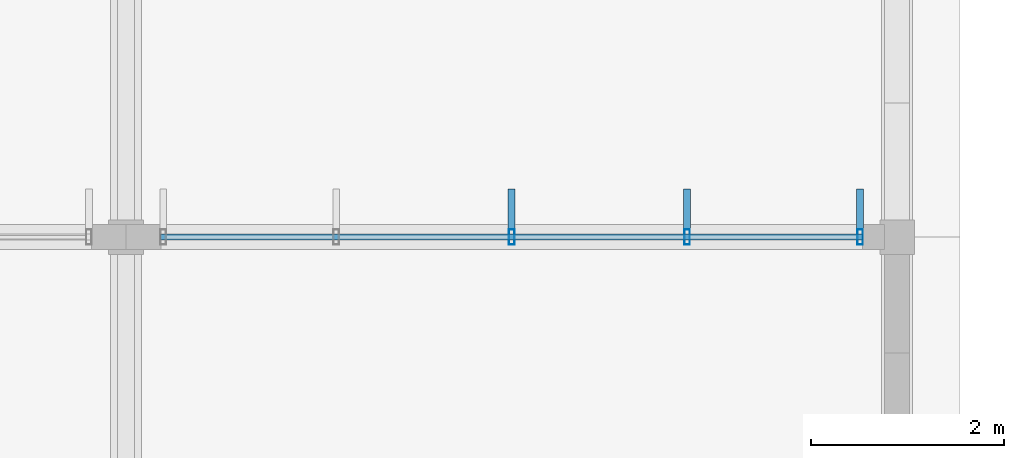
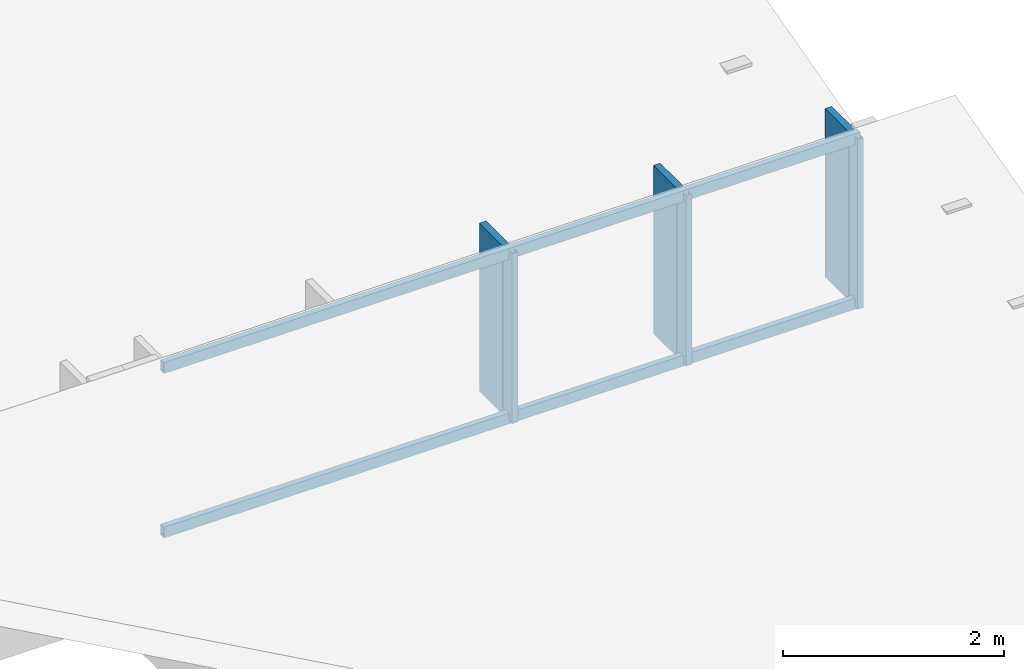
# One storey, part 39 of 94: 8 members, 1 element without a shape of its own.
"""IFC4 building model written with IfcOpenShell, lengths in metres."""

from ifc_helpers import new_model, si_unit, direction, frame, origin, origin_2d, place, context, subcontext, project, spatial, rectangle, hollow_rectangle, extrude, material, material_profile, profile_set, type_object, element, aggregate, save


model = new_model("IFC4")

# Units and contexts
model_context = context("Model", 3, precision=1e-05, world=origin(), true_north=direction((0.0, 1.0)))
body_context = subcontext(model_context, "Body", "Model", "MODEL_VIEW")
ifc_project = project(units=[si_unit("LENGTHUNIT", "METRE"), si_unit("AREAUNIT", "SQUARE_METRE"), si_unit("VOLUMEUNIT", "CUBIC_METRE"), si_unit("PLANEANGLEUNIT", "RADIAN"), si_unit("MASSUNIT", "GRAM", prefix="KILO")], contexts=[model_context])

# Site, building, storey
site_placement = place(None, origin())
site = spatial("IfcSite", under=ifc_project, at=site_placement, CompositionType="ELEMENT")
building_placement = place(site_placement, origin())
building = spatial("IfcBuilding", under=site, at=building_placement, Name="Chiffa Square Polytechnic", CompositionType="ELEMENT")
storey_placement = place(building_placement, frame((0.0, 0.0, 18.0)))
storey = spatial("IfcBuildingStorey", under=building, at=storey_placement, Name="L04", CompositionType="ELEMENT", Elevation=18.0)

# Curtain wall, members
ifc_material_1 = material(Name="Aluminium EN AW-6060 T66 and glulam shading", Category="wood")
curtain_wall_type = type_object("IfcCurtainWallType", Name="CW-VERT-300X380", PredefinedType="USERDEFINED", material=ifc_material_1)
curtain_wall_placement = place(storey_placement, origin())
curtain_wall = element("IfcCurtainWall", 1, at=curtain_wall_placement, inside=storey, type_object=curtain_wall_type, Name="Curtain wall CW-V6-SAW7-4", ObjectType="CURTAIN WALL", PredefinedType="USERDEFINED")
ifc_material_2 = material(Name="Aluminium EN AW-6060 T66", Category="aluminium")
ifc_material_profile_1 = material_profile(ifc_material_2, hollow_rectangle(XDim=0.06005859375, YDim=0.159912109375, WallThickness=0.00390625, at=origin_2d()), Name="ALU 60x160x4")
ifc_profile_set_1 = profile_set([ifc_material_profile_1], Name="Aluminium EN AW-6060 T66")
member_type_1 = type_object("IfcMemberType", Name="CWM-ALU-65X150", PredefinedType="MULLION", material=ifc_profile_set_1)
member_1_placement = place(storey_placement, frame((31.614990234375, 87.0, 0.699951171875), z_axis=(0.0, 0.0, 1.0), x_axis=(1.0, 0.0, 0.0)))
member_1 = element("IfcMember", 2, at=member_1_placement, type_object=member_type_1, Name="Curtain wall mullion CW-V6-SAW7-4-M00", PredefinedType="MULLION", context=body_context, shape_type="SweptSolid", body=[
    extrude(hollow_rectangle(XDim=0.06005859375, YDim=0.159912109375, WallThickness=0.00390625, at=origin_2d()), origin(), (0.0, 0.0, 1.0), 1.879150390625),
])
member_2_placement = place(storey_placement, frame((29.820068359375, 87.0, 0.699951171875), z_axis=(0.0, 0.0, 1.0), x_axis=(1.0, 0.0, 0.0)))
member_2 = element("IfcMember", 3, at=member_2_placement, type_object=member_type_1, Name="Curtain wall mullion CW-V6-SAW7-4-M01", PredefinedType="MULLION", context=body_context, shape_type="SweptSolid", body=[
    extrude(hollow_rectangle(XDim=0.06005859375, YDim=0.159912109375, WallThickness=0.00390625, at=origin_2d()), origin(), (0.0, 0.0, 1.0), 1.879150390625),
])
member_3_placement = place(storey_placement, frame((28.0, 87.0, 0.699951171875), z_axis=(0.0, 0.0, 1.0), x_axis=(1.0, 0.0, 0.0)))
member_3 = element("IfcMember", 4, at=member_3_placement, type_object=member_type_1, Name="Curtain wall mullion CW-V6-SAW7-4-M02", PredefinedType="MULLION", context=body_context, shape_type="SweptSolid", body=[
    extrude(hollow_rectangle(XDim=0.06005859375, YDim=0.159912109375, WallThickness=0.00390625, at=origin_2d()), origin(), (0.0, 0.0, 1.0), 1.879150390625),
])
ifc_material_3 = material(Name="Glulam GL28h", Category="wood")
ifc_material_profile_2 = material_profile(ifc_material_3, rectangle(XDim=0.070068359375, YDim=0.419921875, at=origin_2d()), Name="GL28h 70x420")
ifc_profile_set_2 = profile_set([ifc_material_profile_2], Name="Glulam GL28h")
member_type_2 = type_object("IfcMemberType", Name="CWM-GL-70X420", PredefinedType="MULLION", material=ifc_profile_set_2)
member_4_placement = place(storey_placement, frame((31.614990234375, 87.2919921875, 0.7099609375), z_axis=(0.0, 0.0, 1.0), x_axis=(-1.0, 0.0, 0.0)))
member_4 = element("IfcMember", 5, at=member_4_placement, type_object=member_type_2, Name="Exterior glulam solar fin CW-V6-SAW7-4-FN00", PredefinedType="MULLION", context=body_context, shape_type="SweptSolid", body=[
    extrude(rectangle(XDim=0.070068359375, YDim=0.419921875, at=origin_2d()), origin(), (0.0, 0.0, 1.0), 1.859130859375),
])
member_5_placement = place(storey_placement, frame((29.820068359375, 87.2919921875, 0.7099609375), z_axis=(0.0, 0.0, 1.0), x_axis=(-1.0, 0.0, 0.0)))
member_5 = element("IfcMember", 6, at=member_5_placement, type_object=member_type_2, Name="Exterior glulam solar fin CW-V6-SAW7-4-FN01", PredefinedType="MULLION", context=body_context, shape_type="SweptSolid", body=[
    extrude(rectangle(XDim=0.070068359375, YDim=0.419921875, at=origin_2d()), origin(), (0.0, 0.0, 1.0), 1.859130859375),
])
member_6_placement = place(storey_placement, frame((28.0, 87.2919921875, 0.7099609375), z_axis=(0.0, 0.0, 1.0), x_axis=(-1.0, 0.0, 0.0)))
member_6 = element("IfcMember", 7, at=member_6_placement, type_object=member_type_2, Name="Exterior glulam solar fin CW-V6-SAW7-4-FN02", PredefinedType="MULLION", context=body_context, shape_type="SweptSolid", body=[
    extrude(rectangle(XDim=0.070068359375, YDim=0.419921875, at=origin_2d()), origin(), (0.0, 0.0, 1.0), 1.859130859375),
])
ifc_material_profile_3 = material_profile(ifc_material_2, hollow_rectangle(XDim=0.06005859375, YDim=0.1201171875, WallThickness=0.00390625, at=origin_2d()), Name="ALU 60x120x4")
ifc_profile_set_3 = profile_set([ifc_material_profile_3], Name="Aluminium EN AW-6060 T66")
member_type_3 = type_object("IfcMemberType", Name="CWT-ALU-65X120", PredefinedType="USERDEFINED", material=ifc_profile_set_3)
member_7_placement = place(storey_placement, frame((31.64208984375, 87.0, 0.72998046875), z_axis=(-1.0, 0.0, 0.0), x_axis=(0.0, -1.0, 0.0)))
member_7 = element("IfcMember", 8, at=member_7_placement, type_object=member_type_3, Name="Curtain wall transom CW-V6-SAW7-4-T01", ObjectType="TRANSOM", PredefinedType="USERDEFINED", context=body_context, shape_type="SweptSolid", body=[
    extrude(hollow_rectangle(XDim=0.06005859375, YDim=0.1201171875, WallThickness=0.00390625, at=origin_2d()), origin(), (0.0, 0.0, 1.0), 7.2841796875),
])
member_8_placement = place(storey_placement, frame((31.64208984375, 87.0, 2.549072265625), z_axis=(-1.0, 0.0, 0.0), x_axis=(0.0, -1.0, 0.0)))
member_8 = element("IfcMember", 9, at=member_8_placement, type_object=member_type_3, Name="Curtain wall transom CW-V6-SAW7-4-T02", ObjectType="TRANSOM", PredefinedType="USERDEFINED", context=body_context, shape_type="SweptSolid", body=[
    extrude(hollow_rectangle(XDim=0.06005859375, YDim=0.1201171875, WallThickness=0.00390625, at=origin_2d()), origin(), (0.0, 0.0, 1.0), 7.2841796875),
])
aggregate(curtain_wall, [member_1, member_4, member_2, member_5, member_3, member_6, member_7, member_8])

save(model, "model.ifc")
